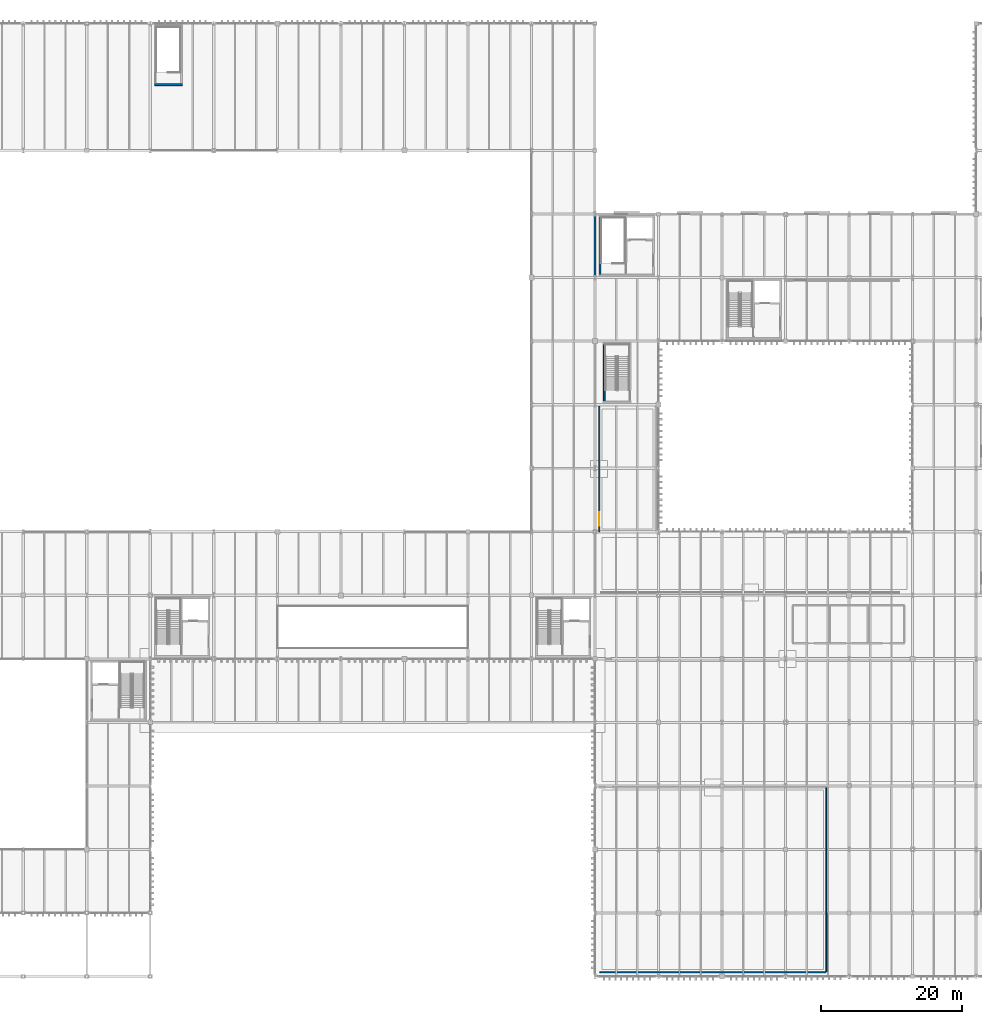
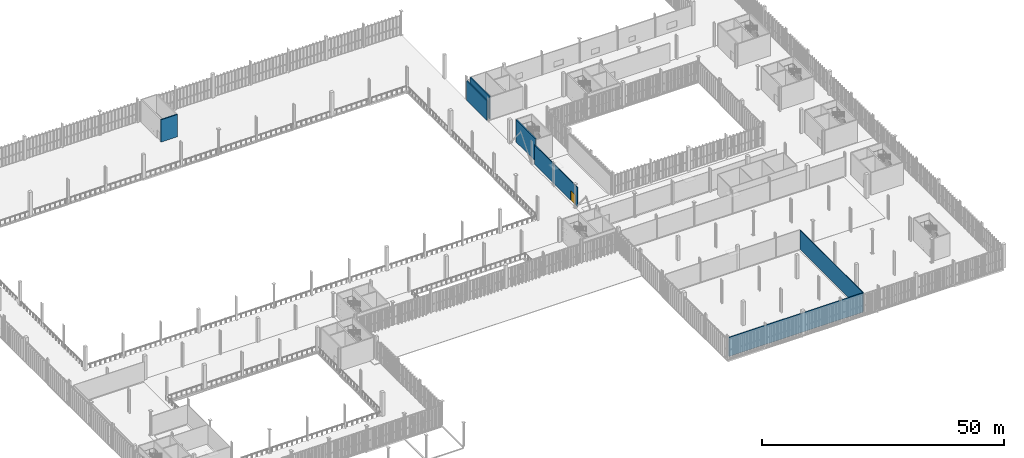
# One storey, part 179 of 211: 7 walls, 1 door, 1 opening.
"""IFC4 building model written with IfcOpenShell, lengths in metres."""

import ifcopenshell
import ifcopenshell.guid

model = None  # the IFC model being written
_history = None  # IfcOwnerHistory: only IFC2X3 demands one
_inside = {}  # id of a spatial element -> (the spatial element, [elements in it])
_under = {}  # id of a project, library or spatial element -> (it, [spatial elements below it])
_declared = {}  # id of a project -> (the project, [libraries it declares])
_typed = {}  # id of a type object -> (the type object, [elements of that type])
_made_of = {}  # id of a material, layer set ... -> (it, [elements and type objects made of it])


def new_model(schema):
    """Start an empty IFC model of exactly this schema.

    Asked for "IFC4X3", IfcOpenShell would pick the latest addendum, in which some entities
    have other attributes; the version numbers below select the first issue.
    IFC2X3 requires an IfcOwnerHistory on every rooted entity: one is made here for all.
    """
    global model, _history
    if schema == "IFC4X3":
        model = ifcopenshell.file(schema_version=(4, 3, 0, 0))
    else:
        model = ifcopenshell.file(schema=schema)
    _inside.clear()
    _under.clear()
    _declared.clear()
    _typed.clear()
    _made_of.clear()
    _history = None
    if model.schema == "IFC2X3":
        org = make("IfcOrganization", Name="unknown")
        user = make(
            "IfcPersonAndOrganization",
            ThePerson=make("IfcPerson", FamilyName="unknown"),
            TheOrganization=org,
        )
        app = make(
            "IfcApplication",
            ApplicationDeveloper=org,
            Version="unknown",
            ApplicationFullName="unknown",
            ApplicationIdentifier="unknown",
        )
        _history = make(
            "IfcOwnerHistory",
            OwningUser=user,
            OwningApplication=app,
            ChangeAction="ADDED",
            CreationDate=0,
        )
    return model


def make(cls, **values):
    """One entity of the class cls with the attributes given. An attribute that is None is left unset."""
    return model.create_entity(
        cls, **{name: value for name, value in values.items() if value is not None}
    )


def rooted(cls, **values):
    """An entity with a GlobalId (a new one), such as an element, a storey or a relation."""
    return make(cls, GlobalId=ifcopenshell.guid.new(), OwnerHistory=_history, **values)


def si_unit(unit_type, name, prefix=None):
    """IfcSIUnit, for example si_unit("LENGTHUNIT", "METRE", prefix="MILLI")."""
    return make("IfcSIUnit", UnitType=unit_type, Prefix=prefix, Name=name)


def assignment(units):
    """IfcUnitAssignment: the units of a project."""
    return None if units is None else make("IfcUnitAssignment", Units=units)


def point(xyz):
    """IfcCartesianPoint."""
    return None if xyz is None else make("IfcCartesianPoint", Coordinates=xyz)


def direction(xyz):
    """IfcDirection."""
    return None if xyz is None else make("IfcDirection", DirectionRatios=xyz)


def frame(location, z_axis=None, x_axis=None):
    """IfcAxis2Placement3D, a coordinate frame: its origin and axes. An axis left out is left unset."""
    return make(
        "IfcAxis2Placement3D",
        Location=point(location),
        Axis=direction(z_axis),
        RefDirection=direction(x_axis),
    )


def frame_2d(location, x_axis=None):
    """IfcAxis2Placement2D, a coordinate frame in the plane: its origin and x axis."""
    return make(
        "IfcAxis2Placement2D", Location=point(location), RefDirection=direction(x_axis)
    )


def origin():
    """The frame at (0, 0, 0) with its axes left unset."""
    return frame((0.0, 0.0, 0.0))


def place(relative_to, where):
    """IfcLocalPlacement: puts the frame where relative to a parent placement (None: the world)."""
    return make(
        "IfcLocalPlacement", PlacementRelTo=relative_to, RelativePlacement=where
    )


def context(
    kind, dimensions, precision=None, world=None, true_north=None, identifier=None
):
    """IfcGeometricRepresentationContext, for example the 3D "Model" context."""
    return make(
        "IfcGeometricRepresentationContext",
        ContextIdentifier=identifier,
        ContextType=kind,
        CoordinateSpaceDimension=dimensions,
        Precision=precision,
        WorldCoordinateSystem=world,
        TrueNorth=true_north,
    )


def subcontext(parent, identifier, kind, view, scale=None):
    """IfcGeometricRepresentationSubContext, for example "Body" below "Model"."""
    return make(
        "IfcGeometricRepresentationSubContext",
        ContextIdentifier=identifier,
        ContextType=kind,
        ParentContext=parent,
        TargetScale=scale,
        TargetView=view,
    )


def project(units=None, contexts=None):
    """IfcProject with its units and contexts."""
    return rooted(
        "IfcProject",
        Name="project",
        RepresentationContexts=contexts,
        UnitsInContext=assignment(units),
    )


def spatial(cls, under=None, at=None, **own):
    """A site, building, storey or space (cls), placed at a placement, below another one or the project."""
    s = rooted(cls, ObjectPlacement=at, **own)
    if under is not None:
        _under.setdefault(under.id(), (under, []))[1].append(s)
    return s


def profile(cls, at=None, kind="AREA", **sizes):
    """A parametric profile (cls). Its sizes go by their IFC names, for example OverallWidth=200.0."""
    return make(cls, ProfileType=kind, Position=at, **sizes)


def rectangle(**sizes):
    """IfcRectangleProfileDef."""
    return profile("IfcRectangleProfileDef", **sizes)


def extrude(swept, where, along, depth):
    """IfcExtrudedAreaSolid: the profile swept, set in the frame where, extruded along a direction by depth."""
    return make(
        "IfcExtrudedAreaSolid",
        SweptArea=swept,
        Position=where,
        ExtrudedDirection=direction(along),
        Depth=depth,
    )


def shape(context_of_items, identifier, shape_type, items):
    """IfcShapeRepresentation: the items that make up one representation, for example the "Body"."""
    return make(
        "IfcShapeRepresentation",
        ContextOfItems=context_of_items,
        RepresentationIdentifier=identifier,
        RepresentationType=shape_type,
        Items=items,
    )


def material(Name=None, Category=None):
    """IfcMaterial."""
    return make("IfcMaterial", Name=Name, Category=Category)


def layer(
    of_material, thickness, ventilated=None, Name=None, Category=None, Priority=None
):
    """IfcMaterialLayer: one layer of a wall or slab, of a material (None: an air gap)."""
    return make(
        "IfcMaterialLayer",
        Material=of_material,
        LayerThickness=thickness,
        IsVentilated=ventilated,
        Name=Name,
        Category=Category,
        Priority=Priority,
    )


def layer_set(layers, Name=None):
    """IfcMaterialLayerSet."""
    return make("IfcMaterialLayerSet", MaterialLayers=layers, LayerSetName=Name)


def made_of(thing, what):
    """Note that an element or type object is made of a material, layer set ...; save() writes the relation."""
    if what is not None:
        _made_of.setdefault(what.id(), (what, []))[1].append(thing)
    return thing


def type_object(cls, material=None, **own):
    """A type object (cls), such as IfcWallType, which elements share."""
    return made_of(rooted(cls, **own), material)


def element(
    cls,
    number,
    at=None,
    inside=None,
    cuts=None,
    type_object=None,
    material=None,
    context=None,
    identifier="Body",
    shape_type=None,
    held_by="IfcProductDefinitionShape",
    body=None,
    shapes=None,
    **own,
):
    """One element of the class cls, such as IfcWall. Its Tag is "e" and its number.

    at: its placement. inside: the storey or other place that contains it. cuts: it is an
    opening in that element (IfcRelVoidsElement). A single representation is given by context,
    identifier, shape_type and body (its items); several are given by shapes. held_by: the class
    of the entity that holds the representations. save() writes the other relations.
    """
    e = rooted(cls, Tag="e%d" % number, ObjectPlacement=at, **own)
    if body is not None:
        shapes = [shape(context, identifier, shape_type, body)]
    if shapes is not None:
        e.Representation = make(held_by, Representations=shapes)
    if inside is not None:
        _inside.setdefault(inside.id(), (inside, []))[1].append(e)
    if cuts is not None:
        rooted(
            "IfcRelVoidsElement", RelatingBuildingElement=cuts, RelatedOpeningElement=e
        )
    if type_object is not None:
        _typed.setdefault(type_object.id(), (type_object, []))[1].append(e)
    return made_of(e, material)


def fill(opening, filler):
    """IfcRelFillsElement: the door or window that sits in an opening."""
    return rooted(
        "IfcRelFillsElement",
        RelatingOpeningElement=opening,
        RelatedBuildingElement=filler,
    )


def aggregate(whole, parts):
    """IfcRelAggregates: a whole, such as a stair, and the parts it consists of."""
    return rooted("IfcRelAggregates", RelatingObject=whole, RelatedObjects=parts)


def save(model, path):
    """Write the relations noted so far, then the file.

    IfcRelAggregates (storeys below a building ...), IfcRelContainedInSpatialStructure (elements
    in a storey), IfcRelDefinesByType, IfcRelAssociatesMaterial and IfcRelDeclares: one each for
    every whole, place, type object, material and project.
    """
    for whole, parts in _under.values():
        aggregate(whole, parts)
    for where, things in _inside.values():
        rooted(
            "IfcRelContainedInSpatialStructure",
            RelatedElements=things,
            RelatingStructure=where,
        )
    for kind, things in _typed.values():
        rooted("IfcRelDefinesByType", RelatedObjects=things, RelatingType=kind)
    for what, things in _made_of.values():
        rooted("IfcRelAssociatesMaterial", RelatedObjects=things, RelatingMaterial=what)
    for by, libraries in _declared.values():
        rooted("IfcRelDeclares", RelatingContext=by, RelatedDefinitions=libraries)
    model.write(path)


model = new_model("IFC4")

# Units and contexts
model_context = context("Model", 3, precision=1e-05, world=origin(), true_north=direction((0.0, 1.0)))
body_context = subcontext(model_context, "Body", "Model", "MODEL_VIEW")
ifc_project = project(units=[si_unit("LENGTHUNIT", "METRE"), si_unit("AREAUNIT", "SQUARE_METRE"), si_unit("VOLUMEUNIT", "CUBIC_METRE"), si_unit("PLANEANGLEUNIT", "RADIAN"), si_unit("MASSUNIT", "GRAM", prefix="KILO")], contexts=[model_context])

# Site, building, storey
site_placement = place(None, origin())
site = spatial("IfcSite", under=ifc_project, at=site_placement, CompositionType="ELEMENT")
building_placement = place(site_placement, origin())
building = spatial("IfcBuilding", under=site, at=building_placement, Name="Barlavento Convention Centre", CompositionType="ELEMENT")
storey_placement = place(building_placement, frame((0.0, 0.0, 6.0)))
storey = spatial("IfcBuildingStorey", under=building, at=storey_placement, Name="L01", CompositionType="ELEMENT", Elevation=6.0)

# Wall, opening, door
ifc_material_1 = material(Name="Acoustic double stud and gypsum board")
ifc_layer_1 = layer(ifc_material_1, 0.18505859375)
ifc_layer_set_1 = layer_set([ifc_layer_1], Name="ARC-WL-ACOU-185")
wall_type_1 = type_object("IfcWallType", Name="ARC-WL-ACOU-185", PredefinedType="PARTITIONING", material=ifc_layer_set_1)
wall_1_placement = place(storey_placement, frame((126.60009765625, 63.0, 0.0), z_axis=(0.0, 0.0, 1.0), x_axis=(0.0, 1.0, 0.0)))
wall_1 = element("IfcWall", 1, at=wall_1_placement, inside=storey, type_object=wall_type_1, Name="L01 interior wall PT-01", PredefinedType="PARTITIONING", context=body_context, shape_type="SweptSolid", body=[
    extrude(rectangle(XDim=17.800048828125, YDim=0.18505859375, at=frame_2d((8.89990234375, 0.0))), origin(), (0.0, 0.0, 1.0), 4.85009765625),
])
opening_placement = place(wall_1_placement, frame((0.85009765625, 0.0, 0.0)))
opening = element("IfcOpeningElement", 2, at=opening_placement, cuts=wall_1, Name="Opening ID-02", PredefinedType="OPENING", context=body_context, shape_type="SweptSolid", body=[
    extrude(rectangle(XDim=1.89990234375, YDim=2.39990234375, at=frame_2d((0.949951171875, 1.199951171875))), frame((0.0, 0.1025390625, 0.0), z_axis=(0.0, -1.0, 0.0), x_axis=(1.0, 0.0, 0.0)), (0.0, 0.0, 1.0), 0.205078125),
])
ifc_material_2 = material(Name="Timber veneer acoustic core", Category="wood")
door_type = type_object("IfcDoorType", Name="ARC-DR-HALL-1900X2400", OperationType="DOUBLE_DOOR_SINGLE_SWING", PredefinedType="DOOR", material=ifc_material_2)
door_placement = place(opening_placement, origin())
door = element("IfcDoor", 3, at=door_placement, inside=storey, type_object=door_type, Name="DR-INT-L01-0226 L01 interior door ID-02", OperationType="DOUBLE_DOOR_SINGLE_SWING", OverallHeight=2.39990234375, OverallWidth=1.89990234375, PredefinedType="DOOR", context=body_context, shape_type="SweptSolid", body=[
    extrude(rectangle(XDim=1.89990234375, YDim=2.39990234375, at=frame_2d((0.949951171875, 1.199951171875))), frame((0.0, 0.02490234375, 0.0), z_axis=(0.0, -1.0, 0.0), x_axis=(1.0, 0.0, 0.0)), (0.0, 0.0, 1.0), 0.050048828125),
])
fill(opening, door)

# Walls
ifc_material_3 = material(Name="Glazed white architectural terracotta on Concrete C40/50", Category="masonry")
ifc_layer_2 = layer(ifc_material_3, 0.2900390625)
ifc_layer_set_2 = layer_set([ifc_layer_2], Name="ARC-WL-EXT-290")
wall_type_2 = type_object("IfcWallType", Name="ARC-WL-EXT-290", PredefinedType="SOLIDWALL", material=ifc_layer_set_2)
wall_2_placement = place(storey_placement, frame((126.0, 99.304931640625, 0.0), z_axis=(0.0, 0.0, 1.0), x_axis=(0.0, 1.0, 0.0)))
element("IfcWall", 4, at=wall_2_placement, inside=storey, type_object=wall_type_2, Name="L01 exterior wall EW02", PredefinedType="SOLIDWALL", context=body_context, shape_type="SweptSolid", body=[
    extrude(rectangle(XDim=8.400146484375, YDim=0.2900390625, at=frame_2d((4.2001953125, 0.0))), origin(), (0.0, 0.0, 1.0), 4.89990234375),
])
ifc_material_4 = material(Name="Metal stud acoustic partition")
ifc_layer_3 = layer(ifc_material_4, 0.155029296875)
ifc_layer_set_3 = layer_set([ifc_layer_3], Name="ARC-WL-PART-155")
wall_type_3 = type_object("IfcWallType", Name="ARC-WL-PART-155", PredefinedType="PARTITIONING", material=ifc_layer_set_3)
wall_3_placement = place(storey_placement, frame((126.693115234375, 0.60009765625, 0.0), z_axis=(0.0, 0.0, 1.0), x_axis=(1.0, 0.0, 0.0)))
element("IfcWall", 5, at=wall_3_placement, inside=storey, type_object=wall_type_3, Name="L01 interior wall PT-03", PredefinedType="PARTITIONING", context=body_context, shape_type="SweptSolid", body=[
    extrude(rectangle(XDim=32.013916015625, YDim=0.155029296875, at=frame_2d((16.0068359375, 0.0))), origin(), (0.0, 0.0, 1.0), 4.85009765625),
])
wall_4_placement = place(storey_placement, frame((158.800048828125, 0.693115234375, 0.0), z_axis=(0.0, 0.0, 1.0), x_axis=(0.0, 1.0, 0.0)))
element("IfcWall", 6, at=wall_4_placement, inside=storey, type_object=wall_type_3, Name="L01 interior wall PT-03", PredefinedType="PARTITIONING", context=body_context, shape_type="SweptSolid", body=[
    extrude(rectangle(XDim=26.013916015625, YDim=0.155029296875, at=frame_2d((13.0068359375, 0.0))), origin(), (0.0, 0.0, 1.0), 4.85009765625),
])
ifc_material_5 = material(Name="Concrete C50/60", Category="concrete")
ifc_layer_4 = layer(ifc_material_5, 0.25)
ifc_layer_set_4 = layer_set([ifc_layer_4], Name="STR-WL-CORE-250")
wall_type_4 = type_object("IfcWallType", Name="STR-WL-CORE-250", PredefinedType="SHEAR", material=ifc_layer_set_4)
for number, where, z_axis, x_axis, name in (
    (7, (126.72509765625, 99.469970703125, 0.0), (0.0, 0.0, 1.0), (0.0, 1.0, 0.0), "L01 interior wall CW-02"),
    (8, (127.324951171875, 81.469970703125, 0.0), (0.0, 0.0, 1.0), (0.0, 1.0, 0.0), "L01 interior wall CW-02"),
):
    element("IfcWall", number, at=place(storey_placement, frame(where, z_axis=z_axis, x_axis=x_axis)), inside=storey, type_object=wall_type_4, Name=name, PredefinedType="SHEAR", context=body_context, shape_type="SweptSolid", body=[
        extrude(rectangle(XDim=8.06005859375, YDim=0.25, at=frame_2d((4.030029296875, 0.0))), origin(), (0.0, 0.0, 1.0), 5.639892578125),
    ])
wall_5_placement = place(storey_placement, frame((63.60009765625, 126.344970703125, 0.0), z_axis=(0.0, 0.0, 1.0), x_axis=(1.0, 0.0, 0.0)))
element("IfcWall", 9, at=wall_5_placement, inside=storey, type_object=wall_type_4, Name="L01 interior wall CW-02", PredefinedType="SHEAR", context=body_context, shape_type="SweptSolid", body=[
    extrude(rectangle(XDim=3.93994140625, YDim=0.25, at=frame_2d((1.969970703125, 0.0))), origin(), (0.0, 0.0, 1.0), 5.64990234375),
])

save(model, "model.ifc")
